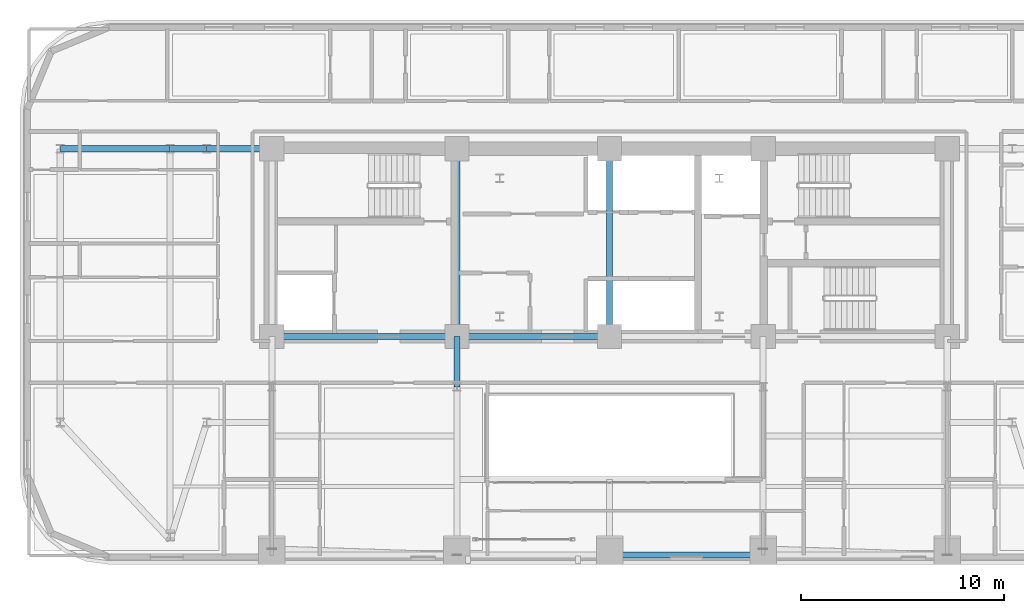
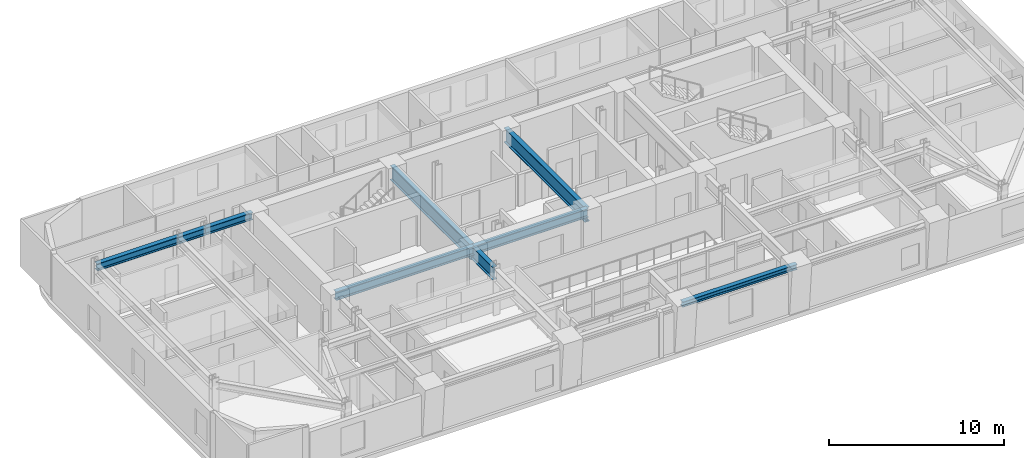
# One storey, part 4 of 16: 9 beams.
"""IFC4 building model written with IfcOpenShell, lengths in metres."""

from ifc_helpers import new_model, si_unit, direction, frame, origin, origin_2d, place, context, subcontext, project, spatial, i_section, extrude, material, material_profile, profile_set, type_object, element, save


model = new_model("IFC4")

# Units and contexts
model_context = context("Model", 3, precision=1e-05, world=origin(), true_north=direction((0.0, 1.0)))
body_context = subcontext(model_context, "Body", "Model", "MODEL_VIEW")
ifc_project = project(units=[si_unit("LENGTHUNIT", "METRE"), si_unit("AREAUNIT", "SQUARE_METRE"), si_unit("VOLUMEUNIT", "CUBIC_METRE"), si_unit("PLANEANGLEUNIT", "RADIAN"), si_unit("MASSUNIT", "GRAM", prefix="KILO")], contexts=[model_context])

# Site, building, storey
site_placement = place(None, origin())
site = spatial("IfcSite", under=ifc_project, at=site_placement, CompositionType="ELEMENT")
building_placement = place(site_placement, origin())
building = spatial("IfcBuilding", under=site, at=building_placement, Name="Zarnavel Station Tower", CompositionType="ELEMENT")
storey_placement = place(building_placement, frame((0.0, 0.0, 97.800048828125)))
storey = spatial("IfcBuildingStorey", under=building, at=storey_placement, Name="L26", CompositionType="ELEMENT", Elevation=97.800048828125)

# Beams
ifc_material_1 = material(Name="Steel S355J2", Category="steel")
ifc_material_profile_1 = material_profile(ifc_material_1, i_section(OverallWidth=0.300048828125, OverallDepth=0.360107421875, WebThickness=0.012451171875, FlangeThickness=0.0224609375, FilletRadius=0.027099609375, at=origin_2d()), Name="HEB360")
ifc_profile_set_1 = profile_set([ifc_material_profile_1], Name="Steel S355J2")
beam_type_1 = type_object("IfcBeamType", Name="EB_HEB360", PredefinedType="SPANDREL", material=ifc_profile_set_1)
beam_1_placement = place(storey_placement, frame((28.800048828125, 17.07177734375, 3.06005859375), z_axis=(1.0, 0.0, 0.0), x_axis=(0.0, 1.0, 0.0)))
element("IfcBeam", 1, at=beam_1_placement, inside=storey, type_object=beam_type_1, Name="L26 South Raked Spandrel 3", PredefinedType="SPANDREL", context=body_context, shape_type="SweptSolid", body=[
    extrude(i_section(OverallWidth=0.300048828125, OverallDepth=0.360107421875, WebThickness=0.012451171875, FlangeThickness=0.0224609375, FilletRadius=0.027099609375, at=origin_2d()), origin(), (0.0, 0.0, 1.0), 7.550048828125),
])
ifc_material_2 = material(Name="Steel S355J2", Category="steel")
ifc_material_profile_2 = material_profile(ifc_material_2, i_section(OverallWidth=0.300048828125, OverallDepth=0.5, WebThickness=0.014404296875, FlangeThickness=0.028076171875, FilletRadius=0.027099609375, at=origin_2d()), Name="HEB500")
ifc_profile_set_2 = profile_set([ifc_material_profile_2], Name="Steel S355J2")
beam_type_2 = type_object("IfcBeamType", Name="FG_HEB500", PredefinedType="USERDEFINED", material=ifc_profile_set_2)
beam_2_placement = place(storey_placement, frame((1.800048828125, 37.050048828125, 2.989990234375), z_axis=(1.0, 0.0, 0.0), x_axis=(0.0, 1.0, 0.0)))
element("IfcBeam", 2, at=beam_2_placement, inside=storey, type_object=beam_type_2, Name="L26 West Wing North Tie 1", ObjectType="GIRDER", PredefinedType="USERDEFINED", context=body_context, shape_type="SweptSolid", body=[
    extrude(i_section(OverallWidth=0.300048828125, OverallDepth=0.5, WebThickness=0.014404296875, FlangeThickness=0.028076171875, FilletRadius=0.027099609375, at=origin_2d()), origin(), (0.0, 0.0, 1.0), 5.39990234375),
])
beam_3_placement = place(storey_placement, frame((7.199951171875, 37.050048828125, 2.989990234375), z_axis=(1.0, 0.0, 0.0), x_axis=(0.0, 1.0, 0.0)))
element("IfcBeam", 3, at=beam_3_placement, inside=storey, type_object=beam_type_2, Name="L26 West Wing North Tie 2", ObjectType="GIRDER", PredefinedType="USERDEFINED", context=body_context, shape_type="SweptSolid", body=[
    extrude(i_section(OverallWidth=0.300048828125, OverallDepth=0.5, WebThickness=0.014404296875, FlangeThickness=0.028076171875, FilletRadius=0.027099609375, at=origin_2d()), origin(), (0.0, 0.0, 1.0), 1.800048828125),
])
beam_4_placement = place(storey_placement, frame((9.0, 37.050048828125, 2.989990234375), z_axis=(1.0, 0.0, 0.0), x_axis=(0.0, 1.0, 0.0)))
element("IfcBeam", 4, at=beam_4_placement, inside=storey, type_object=beam_type_2, Name="L26 West Wing North Tie 3", ObjectType="GIRDER", PredefinedType="USERDEFINED", context=body_context, shape_type="SweptSolid", body=[
    extrude(i_section(OverallWidth=0.300048828125, OverallDepth=0.5, WebThickness=0.014404296875, FlangeThickness=0.028076171875, FilletRadius=0.027099609375, at=origin_2d()), origin(), (0.0, 0.0, 1.0), 3.054931640625),
])
ifc_material_3 = material(Name="Steel S355J2", Category="steel")
ifc_material_profile_3 = material_profile(ifc_material_3, i_section(OverallWidth=0.300048828125, OverallDepth=0.60009765625, WebThickness=0.015380859375, FlangeThickness=0.030029296875, FilletRadius=0.027099609375, at=origin_2d()), Name="HEB600")
ifc_profile_set_3 = profile_set([ifc_material_profile_3], Name="Steel S355J2")
beam_type_3 = type_object("IfcBeamType", Name="FG_HEB600", PredefinedType="USERDEFINED", material=ifc_profile_set_3)
beam_5_placement = place(storey_placement, frame((12.199951171875, 27.820068359375, 2.93994140625), z_axis=(1.0, 0.0, 0.0), x_axis=(0.0, 1.0, 0.0)))
element("IfcBeam", 5, at=beam_5_placement, inside=storey, type_object=beam_type_3, Name="L26 Core Front Coupling Beam 1", ObjectType="GIRDER", PredefinedType="USERDEFINED", context=body_context, shape_type="SweptSolid", body=[
    extrude(i_section(OverallWidth=0.300048828125, OverallDepth=0.60009765625, WebThickness=0.015380859375, FlangeThickness=0.030029296875, FilletRadius=0.027099609375, at=origin_2d()), origin(), (0.0, 0.0, 1.0), 9.10009765625),
])
beam_6_placement = place(storey_placement, frame((21.300048828125, 27.820068359375, 2.93994140625), z_axis=(1.0, 0.0, 0.0), x_axis=(0.0, 1.0, 0.0)))
element("IfcBeam", 6, at=beam_6_placement, inside=storey, type_object=beam_type_3, Name="L26 Core Front Coupling Beam 2", ObjectType="GIRDER", PredefinedType="USERDEFINED", context=body_context, shape_type="SweptSolid", body=[
    extrude(i_section(OverallWidth=0.300048828125, OverallDepth=0.60009765625, WebThickness=0.015380859375, FlangeThickness=0.030029296875, FilletRadius=0.027099609375, at=origin_2d()), origin(), (0.0, 0.0, 1.0), 7.5),
])
ifc_material_4 = material(Name="Steel S460M", Category="steel")
ifc_material_profile_4 = material_profile(ifc_material_4, i_section(OverallWidth=0.302001953125, OverallDepth=1.008056640625, WebThickness=0.02099609375, FlangeThickness=0.0400390625, FilletRadius=0.030029296875, at=origin_2d()), Name="HEM1000")
ifc_profile_set_4 = profile_set([ifc_material_profile_4], Name="Steel S460M")
beam_type_4 = type_object("IfcBeamType", Name="TG_HEM1000", PredefinedType="USERDEFINED", material=ifc_profile_set_4)
for number, where, z_axis, x_axis, name in (
    (7, (21.300048828125, 27.820068359375, 2.73583984375), (0.0, 1.0, 0.0), (-1.0, 0.0, 0.0), "L26 Core Spine Coupling Girder 2"),
    (8, (28.800048828125, 27.820068359375, 2.73583984375), (0.0, 1.0, 0.0), (-1.0, 0.0, 0.0), "L26 Core Spine Coupling Girder 3"),
):
    element("IfcBeam", number, at=place(storey_placement, frame(where, z_axis=z_axis, x_axis=x_axis)), inside=storey, type_object=beam_type_4, Name=name, ObjectType="GIRDER", PredefinedType="USERDEFINED", context=body_context, shape_type="SweptSolid", body=[
        extrude(i_section(OverallWidth=0.302001953125, OverallDepth=1.008056640625, WebThickness=0.02099609375, FlangeThickness=0.0400390625, FilletRadius=0.030029296875, at=origin_2d()), origin(), (0.0, 0.0, 1.0), 9.22998046875),
    ])
ifc_material_5 = material(Name="Steel S460M", Category="steel")
ifc_material_profile_5 = material_profile(ifc_material_5, i_section(OverallWidth=0.302001953125, OverallDepth=0.909912109375, WebThickness=0.02099609375, FlangeThickness=0.0400390625, FilletRadius=0.030029296875, at=origin_2d()), Name="HEM900")
ifc_profile_set_5 = profile_set([ifc_material_profile_5], Name="Steel S460M")
beam_type_5 = type_object("IfcBeamType", Name="TG_HEM900", PredefinedType="USERDEFINED", material=ifc_profile_set_5)
beam_7_placement = place(storey_placement, frame((21.300048828125, 25.35009765625, 2.784912109375), z_axis=(0.0, 1.0, 0.0), x_axis=(-1.0, 0.0, 0.0)))
element("IfcBeam", 9, at=beam_7_placement, inside=storey, type_object=beam_type_5, Name="L26 Inner-Zone NS Girder 2", ObjectType="GIRDER", PredefinedType="USERDEFINED", context=body_context, shape_type="SweptSolid", body=[
    extrude(i_section(OverallWidth=0.302001953125, OverallDepth=0.909912109375, WebThickness=0.02099609375, FlangeThickness=0.0400390625, FilletRadius=0.030029296875, at=origin_2d()), origin(), (0.0, 0.0, 1.0), 2.469970703125),
])

save(model, "model.ifc")
